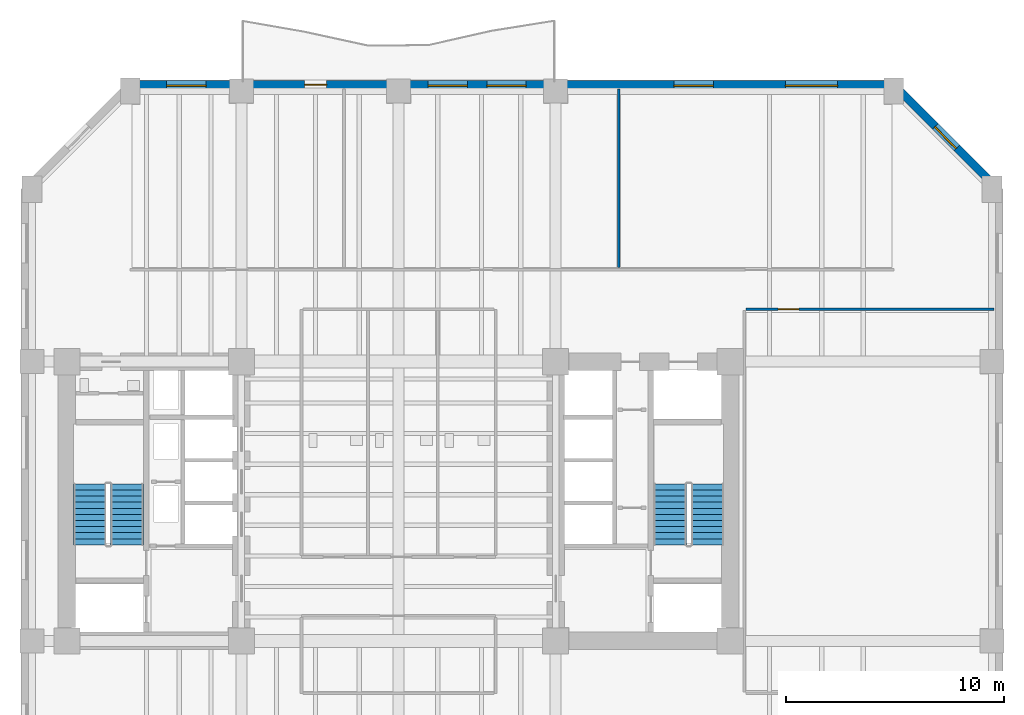
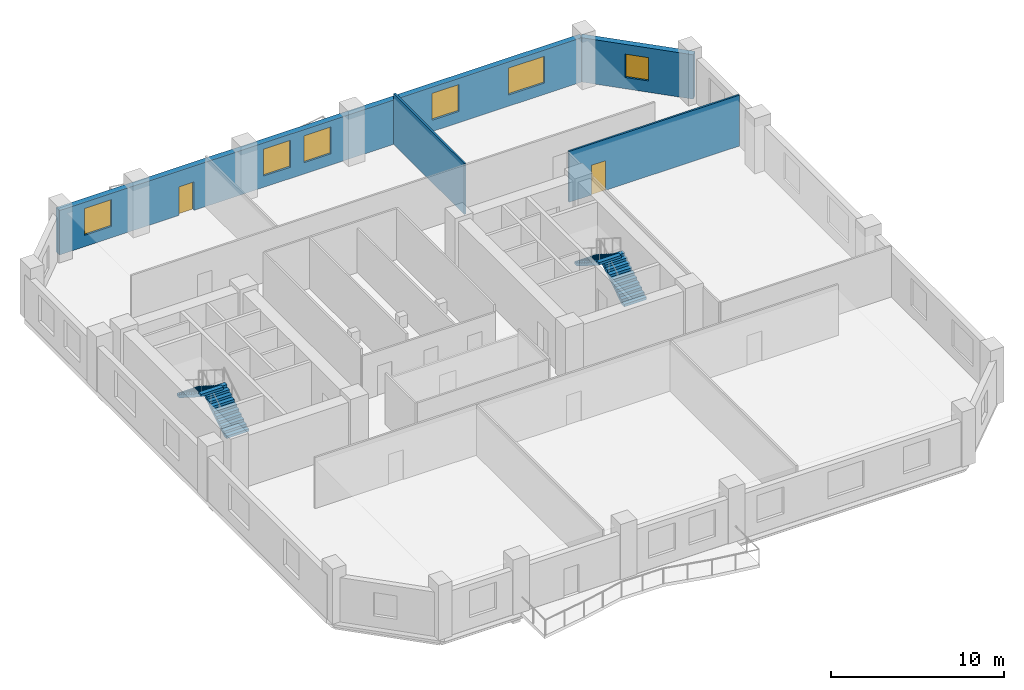
# One storey, part 5 of 9: 6 windows, 4 stair flights, 4 walls, 2 doors, 8 openings, 2 elements without a shape of their own.
"""IFC4 building model written with IfcOpenShell, lengths in metres."""

from ifc_helpers import new_model, si_unit, direction, frame, frame_2d, origin, place, context, subcontext, project, spatial, polyline, rectangle, outline, extrude, material, layer, layer_set, type_object, element, fill, aggregate, save


model = new_model("IFC4")

# Units and contexts
model_context = context("Model", 3, precision=1e-05, world=origin(), true_north=direction((0.0, 1.0)))
body_context = subcontext(model_context, "Body", "Model", "MODEL_VIEW")
ifc_project = project(units=[si_unit("LENGTHUNIT", "METRE"), si_unit("AREAUNIT", "SQUARE_METRE"), si_unit("VOLUMEUNIT", "CUBIC_METRE"), si_unit("PLANEANGLEUNIT", "RADIAN"), si_unit("MASSUNIT", "GRAM", prefix="KILO")], contexts=[model_context])

# Site, building, storey
site_placement = place(None, origin())
site = spatial("IfcSite", under=ifc_project, at=site_placement, CompositionType="ELEMENT")
building_placement = place(site_placement, origin())
building = spatial("IfcBuilding", under=site, at=building_placement, Name="Kranthara Brick Stack", CompositionType="ELEMENT")
storey_placement = place(building_placement, frame((0.0, 0.0, 51.60009765625)))
storey = spatial("IfcBuildingStorey", under=building, at=storey_placement, Name="L12", CompositionType="ELEMENT", Elevation=51.60009765625)

# Wall, openings, door, windows
ifc_material_1 = material(Name="Kiln-fired clay brick masonry M15", Category="masonry")
ifc_layer_1 = layer(ifc_material_1, 0.3798828125)
ifc_layer_set_1 = layer_set([ifc_layer_1], Name="Kiln-fired clay brick masonry M15")
wall_type_1 = type_object("IfcWallType", Name="WL-BRK-PIER-380", PredefinedType="STANDARD", material=ifc_layer_set_1)
wall_1_placement = place(storey_placement, frame((15.699951171875, 46.2900390625, 0.0), z_axis=(0.0, 0.0, 1.0), x_axis=(1.0, 0.0, 0.0)))
wall_1 = element("IfcWall", 1, at=wall_1_placement, inside=storey, type_object=wall_type_1, Name="L12 Exterior Brick Facade Wall NORTH 1", PredefinedType="STANDARD", context=body_context, shape_type="SweptSolid", body=[
    extrude(rectangle(XDim=35.0, YDim=0.3798828125, at=frame_2d((17.5, 0.0))), origin(), (0.0, 0.0, 1.0), 3.135009765625),
])
opening_1_placement = place(wall_1_placement, frame((8.0, 0.0, 0.0)))
opening_1 = element("IfcOpeningElement", 2, at=opening_1_placement, cuts=wall_1, Name="Opening D03", PredefinedType="OPENING", context=body_context, shape_type="SweptSolid", body=[
    extrude(rectangle(XDim=1.0, YDim=2.02001953125, at=frame_2d((0.5, 1.010009765625))), frame((0.0, 0.199951171875, 0.0), z_axis=(0.0, -1.0, 0.0), x_axis=(1.0, 0.0, 0.0)), (0.0, 0.0, 1.0), 0.39990234375),
])
opening_2_placement = place(wall_1_placement, frame((1.675048828125, 0.0, 0.800048828125)))
opening_2 = element("IfcOpeningElement", 3, at=opening_2_placement, cuts=wall_1, Name="Opening WN01", PredefinedType="OPENING", context=body_context, shape_type="SweptSolid", body=[
    extrude(rectangle(XDim=1.800048828125, YDim=1.89990234375, at=frame_2d((0.89990234375, 0.949951171875))), frame((0.0, 0.199951171875, 0.0), z_axis=(0.0, -1.0, 0.0), x_axis=(1.0, 0.0, 0.0)), (0.0, 0.0, 1.0), 0.39990234375),
])
opening_3_placement = place(wall_1_placement, frame((13.656005859375, 0.0, 0.800048828125)))
opening_3 = element("IfcOpeningElement", 4, at=opening_3_placement, cuts=wall_1, Name="Opening WN01", PredefinedType="OPENING", context=body_context, shape_type="SweptSolid", body=[
    extrude(rectangle(XDim=1.800048828125, YDim=1.89990234375, at=frame_2d((0.89990234375, 0.949951171875))), frame((0.0, 0.199951171875, 0.0), z_axis=(0.0, -1.0, 0.0), x_axis=(1.0, 0.0, 0.0)), (0.0, 0.0, 1.0), 0.39990234375),
])
opening_4_placement = place(wall_1_placement, frame((16.343994140625, 0.0, 0.800048828125)))
opening_4 = element("IfcOpeningElement", 5, at=opening_4_placement, cuts=wall_1, Name="Opening WN01", PredefinedType="OPENING", context=body_context, shape_type="SweptSolid", body=[
    extrude(rectangle(XDim=1.800048828125, YDim=1.89990234375, at=frame_2d((0.89990234375, 0.949951171875))), frame((0.0, 0.199951171875, 0.0), z_axis=(0.0, -1.0, 0.0), x_axis=(1.0, 0.0, 0.0)), (0.0, 0.0, 1.0), 0.39990234375),
])
opening_5_placement = place(wall_1_placement, frame((24.925048828125, 0.0, 0.800048828125)))
opening_5 = element("IfcOpeningElement", 6, at=opening_5_placement, cuts=wall_1, Name="Opening WN01", PredefinedType="OPENING", context=body_context, shape_type="SweptSolid", body=[
    extrude(rectangle(XDim=1.800048828125, YDim=1.89990234375, at=frame_2d((0.89990234375, 0.949951171875))), frame((0.0, 0.199951171875, 0.0), z_axis=(0.0, -1.0, 0.0), x_axis=(1.0, 0.0, 0.0)), (0.0, 0.0, 1.0), 0.39990234375),
])
opening_6_placement = place(wall_1_placement, frame((30.02490234375, 0.0, 0.800048828125)))
opening_6 = element("IfcOpeningElement", 7, at=opening_6_placement, cuts=wall_1, Name="Opening WN02", PredefinedType="OPENING", context=body_context, shape_type="SweptSolid", body=[
    extrude(rectangle(XDim=2.39990234375, YDim=1.89990234375, at=frame_2d((1.199951171875, 0.949951171875))), frame((0.0, 0.199951171875, 0.0), z_axis=(0.0, -1.0, 0.0), x_axis=(1.0, 0.0, 0.0)), (0.0, 0.0, 1.0), 0.39990234375),
])
ifc_material_2 = material(Name="Bronze anodised aluminium and laminated glass", Category="aluminium")
door_type_1 = type_object("IfcDoorType", Name="DR-BALC-1000", OperationType="NOTDEFINED", PredefinedType="DOOR", material=ifc_material_2)
door_1_placement = place(opening_1_placement, origin())
door_1 = element("IfcDoor", 8, at=door_1_placement, inside=storey, type_object=door_type_1, Name="L12 North Balcony Terrace Door", OperationType="SINGLE_SWING_RIGHT", OverallHeight=2.02001953125, OverallWidth=1.0, PredefinedType="DOOR", context=body_context, shape_type="SweptSolid", body=[
    extrude(rectangle(XDim=1.0, YDim=2.02001953125, at=frame_2d((0.5, 1.010009765625))), frame((0.0, 0.02490234375, 0.0), z_axis=(0.0, -1.0, 0.0), x_axis=(1.0, 0.0, 0.0)), (0.0, 0.0, 1.0), 0.050048828125),
])
fill(opening_1, door_1)
ifc_material_3 = material(Name="Double-glazed low-E solar control glass", Category="glass")
window_type_1 = type_object("IfcWindowType", Name="WN-OFF-1800x2000", PartitioningType="SINGLE_PANEL", PredefinedType="WINDOW", material=ifc_material_3)
window_1_placement = place(opening_2_placement, origin())
window_1 = element("IfcWindow", 9, at=window_1_placement, inside=storey, type_object=window_type_1, Name="L12 North Deep-Set Brick Window 01", OverallHeight=1.89990234375, OverallWidth=1.800048828125, PartitioningType="SINGLE_PANEL", PredefinedType="WINDOW", context=body_context, shape_type="SweptSolid", body=[
    extrude(rectangle(XDim=1.800048828125, YDim=1.89990234375, at=frame_2d((0.89990234375, 0.949951171875))), frame((0.0, -0.010009765625, 0.0), z_axis=(0.0, -1.0, 0.0), x_axis=(1.0, 0.0, 0.0)), (0.0, 0.0, 1.0), 0.06005859375),
])
fill(opening_2, window_1)
window_2_placement = place(opening_3_placement, origin())
window_2 = element("IfcWindow", 10, at=window_2_placement, inside=storey, type_object=window_type_1, Name="L12 North Deep-Set Brick Window 02", OverallHeight=1.89990234375, OverallWidth=1.800048828125, PartitioningType="SINGLE_PANEL", PredefinedType="WINDOW", context=body_context, shape_type="SweptSolid", body=[
    extrude(rectangle(XDim=1.800048828125, YDim=1.89990234375, at=frame_2d((0.89990234375, 0.949951171875))), frame((0.0, -0.010009765625, 0.0), z_axis=(0.0, -1.0, 0.0), x_axis=(1.0, 0.0, 0.0)), (0.0, 0.0, 1.0), 0.06005859375),
])
fill(opening_3, window_2)
window_3_placement = place(opening_4_placement, origin())
window_3 = element("IfcWindow", 11, at=window_3_placement, inside=storey, type_object=window_type_1, Name="L12 North Deep-Set Brick Window 03", OverallHeight=1.89990234375, OverallWidth=1.800048828125, PartitioningType="SINGLE_PANEL", PredefinedType="WINDOW", context=body_context, shape_type="SweptSolid", body=[
    extrude(rectangle(XDim=1.800048828125, YDim=1.89990234375, at=frame_2d((0.89990234375, 0.949951171875))), frame((0.0, -0.010009765625, 0.0), z_axis=(0.0, -1.0, 0.0), x_axis=(1.0, 0.0, 0.0)), (0.0, 0.0, 1.0), 0.06005859375),
])
fill(opening_4, window_3)
window_4_placement = place(opening_5_placement, origin())
window_4 = element("IfcWindow", 12, at=window_4_placement, inside=storey, type_object=window_type_1, Name="L12 North Deep-Set Brick Window 04", OverallHeight=1.89990234375, OverallWidth=1.800048828125, PartitioningType="SINGLE_PANEL", PredefinedType="WINDOW", context=body_context, shape_type="SweptSolid", body=[
    extrude(rectangle(XDim=1.800048828125, YDim=1.89990234375, at=frame_2d((0.89990234375, 0.949951171875))), frame((0.0, -0.010009765625, 0.0), z_axis=(0.0, -1.0, 0.0), x_axis=(1.0, 0.0, 0.0)), (0.0, 0.0, 1.0), 0.06005859375),
])
fill(opening_5, window_4)
ifc_material_4 = material(Name="Double-glazed low-E solar control glass", Category="glass")
window_type_2 = type_object("IfcWindowType", Name="WN-OFF-2400x2000", PartitioningType="DOUBLE_PANEL_VERTICAL", PredefinedType="WINDOW", material=ifc_material_4)
window_5_placement = place(opening_6_placement, origin())
window_5 = element("IfcWindow", 13, at=window_5_placement, inside=storey, type_object=window_type_2, Name="L12 North Deep-Set Brick Window 05", OverallHeight=1.89990234375, OverallWidth=2.39990234375, PartitioningType="SINGLE_PANEL", PredefinedType="WINDOW", context=body_context, shape_type="SweptSolid", body=[
    extrude(rectangle(XDim=2.39990234375, YDim=1.89990234375, at=frame_2d((1.199951171875, 0.949951171875))), frame((0.0, -0.010009765625, 0.0), z_axis=(0.0, -1.0, 0.0), x_axis=(1.0, 0.0, 0.0)), (0.0, 0.0, 1.0), 0.06005859375),
])
fill(opening_6, window_5)

# Wall, opening, window
wall_2_placement = place(storey_placement, frame((50.699951171875, 46.2900390625, 0.0), z_axis=(0.0, 0.0, 1.0), x_axis=(0.707106781187, -0.707106781187, 0.0)))
wall_2 = element("IfcWall", 14, at=wall_2_placement, inside=storey, type_object=wall_type_1, Name="L12 Exterior Brick Facade Wall NE 1", PredefinedType="STANDARD", context=body_context, shape_type="SweptSolid", body=[
    extrude(rectangle(XDim=6.774169921875, YDim=0.3798828125, at=frame_2d((3.38720703125, 0.0))), origin(), (0.0, 0.0, 1.0), 3.135009765625),
])
opening_7_placement = place(wall_2_placement, frame((2.68701171875, 0.0, 0.800048828125)))
opening_7 = element("IfcOpeningElement", 15, at=opening_7_placement, cuts=wall_2, Name="Opening WN10", PredefinedType="OPENING", context=body_context, shape_type="SweptSolid", body=[
    extrude(rectangle(XDim=1.39990234375, YDim=1.64990234375, at=frame_2d((0.699951171875, 0.824951171875))), frame((0.0, 0.199951171875, 0.0), z_axis=(0.0, -1.0, 0.0), x_axis=(1.0, 0.0, 0.0)), (0.0, 0.0, 1.0), 0.39990234375),
])
ifc_material_5 = material(Name="Double-glazed low-E solar control glass", Category="glass")
window_type_3 = type_object("IfcWindowType", Name="WN-CHM-1400x1750", PartitioningType="SINGLE_PANEL", PredefinedType="WINDOW", material=ifc_material_5)
window_6_placement = place(opening_7_placement, origin())
window_6 = element("IfcWindow", 16, at=window_6_placement, inside=storey, type_object=window_type_3, Name="L12 NE Chamfer Corner Window", OverallHeight=1.64990234375, OverallWidth=1.39990234375, PartitioningType="SINGLE_PANEL", PredefinedType="WINDOW", context=body_context, shape_type="SweptSolid", body=[
    extrude(rectangle(XDim=1.39990234375, YDim=1.64990234375, at=frame_2d((0.699951171875, 0.824951171875))), frame((0.0, -0.010009765625, 0.0), z_axis=(0.0, -1.0, 0.0), x_axis=(1.0, 0.0, 0.0)), (0.0, 0.0, 1.0), 0.06005859375),
])
fill(opening_7, window_6)

# Wall
ifc_material_6 = material(Name="Acoustic gypsum plasterboard partition", Category="other")
ifc_layer_2 = layer(ifc_material_6, 0.1201171875)
ifc_layer_set_2 = layer_set([ifc_layer_2], Name="Acoustic gypsum plasterboard partition")
wall_type_2 = type_object("IfcWallType", Name="WL-PART-120", PredefinedType="PARTITIONING", material=ifc_layer_set_2)
wall_3_placement = place(storey_placement, frame((38.10009765625, 37.919921875, 0.0), z_axis=(0.0, 0.0, 1.0), x_axis=(0.0, 1.0, 0.0)))
element("IfcWall", 17, at=wall_3_placement, inside=storey, type_object=wall_type_2, Name="L12 Interior Partition 020", PredefinedType="PARTITIONING", context=body_context, shape_type="SweptSolid", body=[
    extrude(rectangle(XDim=8.175048828125, YDim=0.1201171875, at=frame_2d((4.08740234375, 0.0))), origin(), (0.0, 0.0, 1.0), 3.599853515625),
])

# Wall, opening, door
wall_4_placement = place(storey_placement, frame((43.9150390625, 36.0, 0.0), z_axis=(0.0, 0.0, 1.0), x_axis=(1.0, 0.0, 0.0)))
wall_4 = element("IfcWall", 18, at=wall_4_placement, inside=storey, type_object=wall_type_2, Name="L12 Interior Partition 023", PredefinedType="PARTITIONING", context=body_context, shape_type="SweptSolid", body=[
    extrude(rectangle(XDim=11.3798828125, YDim=0.1201171875, at=frame_2d((5.68994140625, 0.0))), origin(), (0.0, 0.0, 1.0), 3.599853515625),
])
opening_8_placement = place(wall_4_placement, frame((1.485107421875, 0.0, 0.0)))
opening_8 = element("IfcOpeningElement", 19, at=opening_8_placement, cuts=wall_4, Name="Opening D14", PredefinedType="OPENING", context=body_context, shape_type="SweptSolid", body=[
    extrude(rectangle(XDim=0.949951171875, YDim=2.10009765625, at=frame_2d((0.47509765625, 1.050048828125))), frame((0.0, 0.070068359375, 0.0), z_axis=(0.0, -1.0, 0.0), x_axis=(1.0, 0.0, 0.0)), (0.0, 0.0, 1.0), 0.14013671875),
])
ifc_material_7 = material(Name="Solid-core hardwood timber leaf in steel frame", Category="steel")
door_type_2 = type_object("IfcDoorType", Name="DR-INT-950", OperationType="NOTDEFINED", PredefinedType="DOOR", material=ifc_material_7)
door_2_placement = place(opening_8_placement, origin())
door_2 = element("IfcDoor", 20, at=door_2_placement, inside=storey, type_object=door_type_2, Name="L12 East North Office 16", OperationType="SINGLE_SWING_RIGHT", OverallHeight=2.10009765625, OverallWidth=0.949951171875, PredefinedType="DOOR", context=body_context, shape_type="SweptSolid", body=[
    extrude(rectangle(XDim=0.949951171875, YDim=2.10009765625, at=frame_2d((0.47509765625, 1.050048828125))), frame((0.0, 0.02490234375, 0.0), z_axis=(0.0, -1.0, 0.0), x_axis=(1.0, 0.0, 0.0)), (0.0, 0.0, 1.0), 0.050048828125),
])
fill(opening_8, door_2)

# Stair, stair flights
ifc_material_8 = material(Name="Concrete C45/55", Category="concrete")
stair_type = type_object("IfcStairType", Name="ST-CORE-22R", PredefinedType="HALF_TURN_STAIR", material=ifc_material_8)
stair_1_placement = place(storey_placement, origin())
stair_1 = element("IfcStair", 21, at=stair_1_placement, inside=storey, type_object=stair_type, Name="L12 West Core Protected Exit Stair ST01", PredefinedType="HALF_TURN_STAIR")
ifc_material_9 = material(Name="Concrete C45/55", Category="concrete")
stair_flight_type = type_object("IfcStairFlightType", Name="SFL-RC-22R", PredefinedType="STRAIGHT", material=ifc_material_9)
stair_flight_1_placement = place(storey_placement, frame((15.550048828125, 25.199951171875, 0.0), z_axis=(0.0, 0.0, 1.0), x_axis=(0.0, 1.0, 0.0)))
stair_flight_1 = element("IfcStairFlight", 22, at=stair_flight_1_placement, type_object=stair_flight_type, Name="ST01 flight 1", NumberOfRisers=11, NumberOfTreads=10, PredefinedType="STRAIGHT", RiserHeight=0.177272727, TreadLength=0.28, context=body_context, shape_type="SweptSolid", body=[
    extrude(outline(polyline([(0.0, 0.0), (0.0, 0.17724609375), (0.280029296875, 0.17724609375), (0.280029296875, 0.3544921875), (0.56005859375, 0.3544921875), (0.56005859375, 0.53173828125), (0.840087890625, 0.53173828125), (0.840087890625, 0.708984375), (1.1201171875, 0.708984375), (1.1201171875, 0.886474609375), (1.39990234375, 0.886474609375), (1.39990234375, 1.063720703125), (1.679931640625, 1.063720703125), (1.679931640625, 1.240966796875), (1.9599609375, 1.240966796875), (1.9599609375, 1.418212890625), (2.239990234375, 1.418212890625), (2.239990234375, 1.595458984375), (2.52001953125, 1.595458984375), (2.52001953125, 1.772705078125), (2.800048828125, 1.772705078125), (2.800048828125, 1.949951171875), (2.800048828125, 1.59521484375), (0.2802734375, 0.0), (0.0, 0.0)])), frame((0.0, 0.75, 0.0), z_axis=(0.0, -1.0, 0.0), x_axis=(1.0, 0.0, 0.0)), (0.0, 0.0, 1.0), 1.5),
])
stair_flight_2_placement = place(storey_placement, frame((13.85009765625, 28.0, 1.949951171875), z_axis=(0.0, 0.0, 1.0), x_axis=(0.0, -1.0, 0.0)))
stair_flight_2 = element("IfcStairFlight", 23, at=stair_flight_2_placement, type_object=stair_flight_type, Name="ST01 flight 2", NumberOfRisers=11, NumberOfTreads=10, PredefinedType="STRAIGHT", RiserHeight=0.177272727, TreadLength=0.28, context=body_context, shape_type="SweptSolid", body=[
    extrude(outline(polyline([(0.0, 0.0), (0.0, 0.17724609375), (0.280029296875, 0.17724609375), (0.280029296875, 0.3544921875), (0.56005859375, 0.3544921875), (0.56005859375, 0.53173828125), (0.840087890625, 0.53173828125), (0.840087890625, 0.708984375), (1.1201171875, 0.708984375), (1.1201171875, 0.886474609375), (1.39990234375, 0.886474609375), (1.39990234375, 1.063720703125), (1.679931640625, 1.063720703125), (1.679931640625, 1.240966796875), (1.9599609375, 1.240966796875), (1.9599609375, 1.418212890625), (2.239990234375, 1.418212890625), (2.239990234375, 1.595458984375), (2.52001953125, 1.595458984375), (2.52001953125, 1.772705078125), (2.800048828125, 1.772705078125), (2.800048828125, 1.949951171875), (2.800048828125, 1.59521484375), (0.2802734375, 0.0), (0.0, 0.0)])), frame((0.0, 0.75, 0.0), z_axis=(0.0, -1.0, 0.0), x_axis=(1.0, 0.0, 0.0)), (0.0, 0.0, 1.0), 1.5),
])
aggregate(stair_1, [stair_flight_1, stair_flight_2])

stair_2_placement = place(storey_placement, origin())
stair_2 = element("IfcStair", 24, at=stair_2_placement, inside=storey, type_object=stair_type, Name="L12 East Core Protected Exit Stair ST02", PredefinedType="HALF_TURN_STAIR")
stair_flight_3_placement = place(storey_placement, frame((42.14990234375, 25.199951171875, 0.0), z_axis=(0.0, 0.0, 1.0), x_axis=(0.0, 1.0, 0.0)))
stair_flight_3 = element("IfcStairFlight", 25, at=stair_flight_3_placement, type_object=stair_flight_type, Name="ST02 flight 1", NumberOfRisers=11, NumberOfTreads=10, PredefinedType="STRAIGHT", RiserHeight=0.177272727, TreadLength=0.28, context=body_context, shape_type="SweptSolid", body=[
    extrude(outline(polyline([(0.0, 0.0), (0.0, 0.17724609375), (0.280029296875, 0.17724609375), (0.280029296875, 0.3544921875), (0.56005859375, 0.3544921875), (0.56005859375, 0.53173828125), (0.840087890625, 0.53173828125), (0.840087890625, 0.708984375), (1.1201171875, 0.708984375), (1.1201171875, 0.886474609375), (1.39990234375, 0.886474609375), (1.39990234375, 1.063720703125), (1.679931640625, 1.063720703125), (1.679931640625, 1.240966796875), (1.9599609375, 1.240966796875), (1.9599609375, 1.418212890625), (2.239990234375, 1.418212890625), (2.239990234375, 1.595458984375), (2.52001953125, 1.595458984375), (2.52001953125, 1.772705078125), (2.800048828125, 1.772705078125), (2.800048828125, 1.949951171875), (2.800048828125, 1.59521484375), (0.2802734375, 0.0), (0.0, 0.0)])), frame((0.0, 0.75, 0.0), z_axis=(0.0, -1.0, 0.0), x_axis=(1.0, 0.0, 0.0)), (0.0, 0.0, 1.0), 1.5),
])
stair_flight_4_placement = place(storey_placement, frame((40.449951171875, 28.0, 1.949951171875), z_axis=(0.0, 0.0, 1.0), x_axis=(0.0, -1.0, 0.0)))
stair_flight_4 = element("IfcStairFlight", 26, at=stair_flight_4_placement, type_object=stair_flight_type, Name="ST02 flight 2", NumberOfRisers=11, NumberOfTreads=10, PredefinedType="STRAIGHT", RiserHeight=0.177272727, TreadLength=0.28, context=body_context, shape_type="SweptSolid", body=[
    extrude(outline(polyline([(0.0, 0.0), (0.0, 0.17724609375), (0.280029296875, 0.17724609375), (0.280029296875, 0.3544921875), (0.56005859375, 0.3544921875), (0.56005859375, 0.53173828125), (0.840087890625, 0.53173828125), (0.840087890625, 0.708984375), (1.1201171875, 0.708984375), (1.1201171875, 0.886474609375), (1.39990234375, 0.886474609375), (1.39990234375, 1.063720703125), (1.679931640625, 1.063720703125), (1.679931640625, 1.240966796875), (1.9599609375, 1.240966796875), (1.9599609375, 1.418212890625), (2.239990234375, 1.418212890625), (2.239990234375, 1.595458984375), (2.52001953125, 1.595458984375), (2.52001953125, 1.772705078125), (2.800048828125, 1.772705078125), (2.800048828125, 1.949951171875), (2.800048828125, 1.59521484375), (0.2802734375, 0.0), (0.0, 0.0)])), frame((0.0, 0.75, 0.0), z_axis=(0.0, -1.0, 0.0), x_axis=(1.0, 0.0, 0.0)), (0.0, 0.0, 1.0), 1.5),
])
aggregate(stair_2, [stair_flight_3, stair_flight_4])

save(model, "model.ifc")
